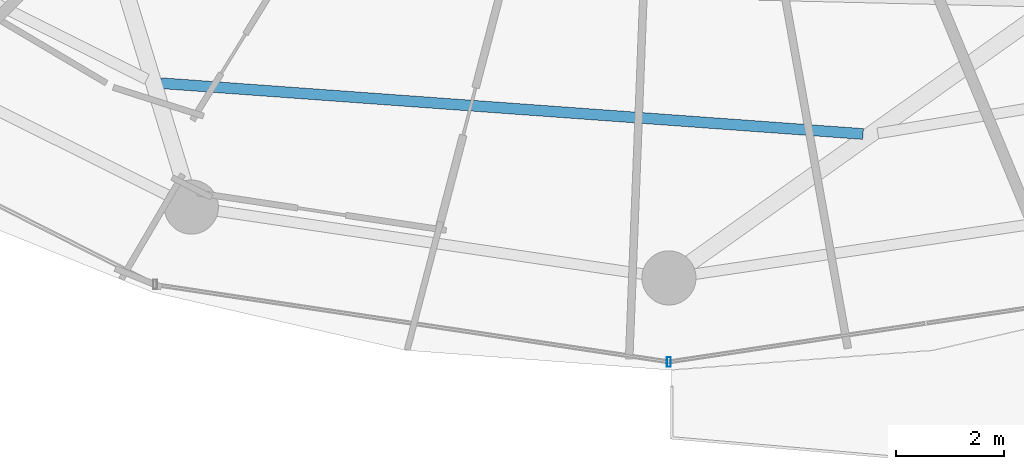
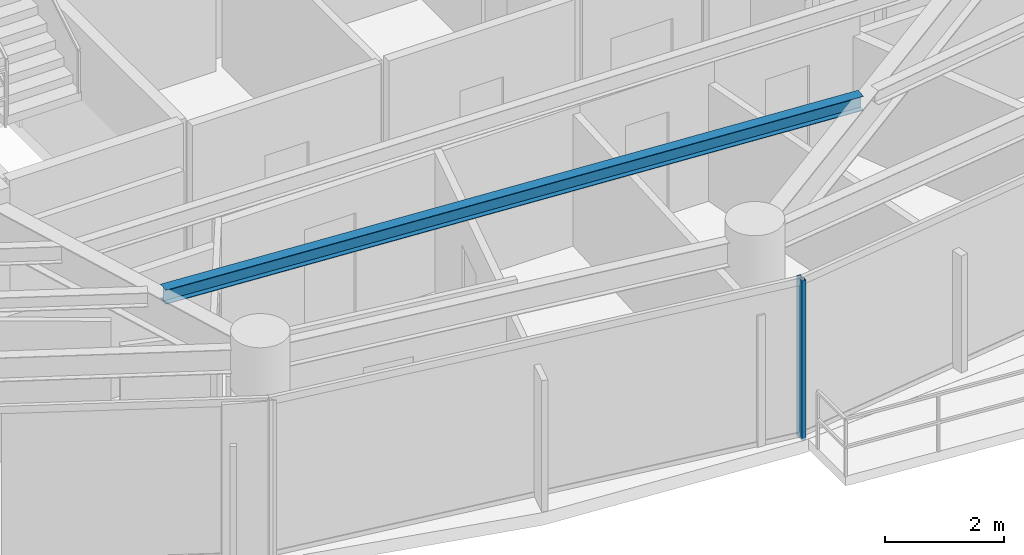
# One storey, part 6 of 29: 1 beam, 1 member, 1 element without a shape of its own.
"""IFC4 building model written with IfcOpenShell, lengths in metres."""

import ifcopenshell
import ifcopenshell.guid

model = None  # the IFC model being written
_history = None  # IfcOwnerHistory: only IFC2X3 demands one
_inside = {}  # id of a spatial element -> (the spatial element, [elements in it])
_under = {}  # id of a project, library or spatial element -> (it, [spatial elements below it])
_declared = {}  # id of a project -> (the project, [libraries it declares])
_typed = {}  # id of a type object -> (the type object, [elements of that type])
_made_of = {}  # id of a material, layer set ... -> (it, [elements and type objects made of it])


def new_model(schema):
    """Start an empty IFC model of exactly this schema.

    Asked for "IFC4X3", IfcOpenShell would pick the latest addendum, in which some entities
    have other attributes; the version numbers below select the first issue.
    IFC2X3 requires an IfcOwnerHistory on every rooted entity: one is made here for all.
    """
    global model, _history
    if schema == "IFC4X3":
        model = ifcopenshell.file(schema_version=(4, 3, 0, 0))
    else:
        model = ifcopenshell.file(schema=schema)
    _inside.clear()
    _under.clear()
    _declared.clear()
    _typed.clear()
    _made_of.clear()
    _history = None
    if model.schema == "IFC2X3":
        org = make("IfcOrganization", Name="unknown")
        user = make(
            "IfcPersonAndOrganization",
            ThePerson=make("IfcPerson", FamilyName="unknown"),
            TheOrganization=org,
        )
        app = make(
            "IfcApplication",
            ApplicationDeveloper=org,
            Version="unknown",
            ApplicationFullName="unknown",
            ApplicationIdentifier="unknown",
        )
        _history = make(
            "IfcOwnerHistory",
            OwningUser=user,
            OwningApplication=app,
            ChangeAction="ADDED",
            CreationDate=0,
        )
    return model


def make(cls, **values):
    """One entity of the class cls with the attributes given. An attribute that is None is left unset."""
    return model.create_entity(
        cls, **{name: value for name, value in values.items() if value is not None}
    )


def rooted(cls, **values):
    """An entity with a GlobalId (a new one), such as an element, a storey or a relation."""
    return make(cls, GlobalId=ifcopenshell.guid.new(), OwnerHistory=_history, **values)


def si_unit(unit_type, name, prefix=None):
    """IfcSIUnit, for example si_unit("LENGTHUNIT", "METRE", prefix="MILLI")."""
    return make("IfcSIUnit", UnitType=unit_type, Prefix=prefix, Name=name)


def assignment(units):
    """IfcUnitAssignment: the units of a project."""
    return None if units is None else make("IfcUnitAssignment", Units=units)


def point(xyz):
    """IfcCartesianPoint."""
    return None if xyz is None else make("IfcCartesianPoint", Coordinates=xyz)


def direction(xyz):
    """IfcDirection."""
    return None if xyz is None else make("IfcDirection", DirectionRatios=xyz)


def frame(location, z_axis=None, x_axis=None):
    """IfcAxis2Placement3D, a coordinate frame: its origin and axes. An axis left out is left unset."""
    return make(
        "IfcAxis2Placement3D",
        Location=point(location),
        Axis=direction(z_axis),
        RefDirection=direction(x_axis),
    )


def frame_2d(location, x_axis=None):
    """IfcAxis2Placement2D, a coordinate frame in the plane: its origin and x axis."""
    return make(
        "IfcAxis2Placement2D", Location=point(location), RefDirection=direction(x_axis)
    )


def origin():
    """The frame at (0, 0, 0) with its axes left unset."""
    return frame((0.0, 0.0, 0.0))


def origin_2d():
    """The frame at (0, 0) in the plane with its x axis left unset."""
    return frame_2d((0.0, 0.0))


def place(relative_to, where):
    """IfcLocalPlacement: puts the frame where relative to a parent placement (None: the world)."""
    return make(
        "IfcLocalPlacement", PlacementRelTo=relative_to, RelativePlacement=where
    )


def context(
    kind, dimensions, precision=None, world=None, true_north=None, identifier=None
):
    """IfcGeometricRepresentationContext, for example the 3D "Model" context."""
    return make(
        "IfcGeometricRepresentationContext",
        ContextIdentifier=identifier,
        ContextType=kind,
        CoordinateSpaceDimension=dimensions,
        Precision=precision,
        WorldCoordinateSystem=world,
        TrueNorth=true_north,
    )


def subcontext(parent, identifier, kind, view, scale=None):
    """IfcGeometricRepresentationSubContext, for example "Body" below "Model"."""
    return make(
        "IfcGeometricRepresentationSubContext",
        ContextIdentifier=identifier,
        ContextType=kind,
        ParentContext=parent,
        TargetScale=scale,
        TargetView=view,
    )


def project(units=None, contexts=None):
    """IfcProject with its units and contexts."""
    return rooted(
        "IfcProject",
        Name="project",
        RepresentationContexts=contexts,
        UnitsInContext=assignment(units),
    )


def spatial(cls, under=None, at=None, **own):
    """A site, building, storey or space (cls), placed at a placement, below another one or the project."""
    s = rooted(cls, ObjectPlacement=at, **own)
    if under is not None:
        _under.setdefault(under.id(), (under, []))[1].append(s)
    return s


def profile(cls, at=None, kind="AREA", **sizes):
    """A parametric profile (cls). Its sizes go by their IFC names, for example OverallWidth=200.0."""
    return make(cls, ProfileType=kind, Position=at, **sizes)


def hollow_rectangle(**sizes):
    """IfcRectangleHollowProfileDef."""
    return profile("IfcRectangleHollowProfileDef", **sizes)


def i_section(**sizes):
    """IfcIShapeProfileDef."""
    return profile("IfcIShapeProfileDef", **sizes)


def extrude(swept, where, along, depth):
    """IfcExtrudedAreaSolid: the profile swept, set in the frame where, extruded along a direction by depth."""
    return make(
        "IfcExtrudedAreaSolid",
        SweptArea=swept,
        Position=where,
        ExtrudedDirection=direction(along),
        Depth=depth,
    )


def shape(context_of_items, identifier, shape_type, items):
    """IfcShapeRepresentation: the items that make up one representation, for example the "Body"."""
    return make(
        "IfcShapeRepresentation",
        ContextOfItems=context_of_items,
        RepresentationIdentifier=identifier,
        RepresentationType=shape_type,
        Items=items,
    )


def material(Name=None, Category=None):
    """IfcMaterial."""
    return make("IfcMaterial", Name=Name, Category=Category)


def material_profile(
    of_material, cross_section, Name=None, Category=None, Priority=None
):
    """IfcMaterialProfile: a cross section and its material."""
    return make(
        "IfcMaterialProfile",
        Name=Name,
        Material=of_material,
        Profile=cross_section,
        Priority=Priority,
        Category=Category,
    )


def profile_set(profiles, Name=None, composite=None):
    """IfcMaterialProfileSet."""
    return make(
        "IfcMaterialProfileSet",
        Name=Name,
        MaterialProfiles=profiles,
        CompositeProfile=composite,
    )


def made_of(thing, what):
    """Note that an element or type object is made of a material, layer set ...; save() writes the relation."""
    if what is not None:
        _made_of.setdefault(what.id(), (what, []))[1].append(thing)
    return thing


def type_object(cls, material=None, **own):
    """A type object (cls), such as IfcWallType, which elements share."""
    return made_of(rooted(cls, **own), material)


def element(
    cls,
    number,
    at=None,
    inside=None,
    cuts=None,
    type_object=None,
    material=None,
    context=None,
    identifier="Body",
    shape_type=None,
    held_by="IfcProductDefinitionShape",
    body=None,
    shapes=None,
    **own,
):
    """One element of the class cls, such as IfcWall. Its Tag is "e" and its number.

    at: its placement. inside: the storey or other place that contains it. cuts: it is an
    opening in that element (IfcRelVoidsElement). A single representation is given by context,
    identifier, shape_type and body (its items); several are given by shapes. held_by: the class
    of the entity that holds the representations. save() writes the other relations.
    """
    e = rooted(cls, Tag="e%d" % number, ObjectPlacement=at, **own)
    if body is not None:
        shapes = [shape(context, identifier, shape_type, body)]
    if shapes is not None:
        e.Representation = make(held_by, Representations=shapes)
    if inside is not None:
        _inside.setdefault(inside.id(), (inside, []))[1].append(e)
    if cuts is not None:
        rooted(
            "IfcRelVoidsElement", RelatingBuildingElement=cuts, RelatedOpeningElement=e
        )
    if type_object is not None:
        _typed.setdefault(type_object.id(), (type_object, []))[1].append(e)
    return made_of(e, material)


def aggregate(whole, parts):
    """IfcRelAggregates: a whole, such as a stair, and the parts it consists of."""
    return rooted("IfcRelAggregates", RelatingObject=whole, RelatedObjects=parts)


def save(model, path):
    """Write the relations noted so far, then the file.

    IfcRelAggregates (storeys below a building ...), IfcRelContainedInSpatialStructure (elements
    in a storey), IfcRelDefinesByType, IfcRelAssociatesMaterial and IfcRelDeclares: one each for
    every whole, place, type object, material and project.
    """
    for whole, parts in _under.values():
        aggregate(whole, parts)
    for where, things in _inside.values():
        rooted(
            "IfcRelContainedInSpatialStructure",
            RelatedElements=things,
            RelatingStructure=where,
        )
    for kind, things in _typed.values():
        rooted("IfcRelDefinesByType", RelatedObjects=things, RelatingType=kind)
    for what, things in _made_of.values():
        rooted("IfcRelAssociatesMaterial", RelatedObjects=things, RelatingMaterial=what)
    for by, libraries in _declared.values():
        rooted("IfcRelDeclares", RelatingContext=by, RelatedDefinitions=libraries)
    model.write(path)


model = new_model("IFC4")

# Units and contexts
model_context = context("Model", 3, precision=1e-05, world=origin(), true_north=direction((0.0, 1.0)))
body_context = subcontext(model_context, "Body", "Model", "MODEL_VIEW")
ifc_project = project(units=[si_unit("LENGTHUNIT", "METRE"), si_unit("AREAUNIT", "SQUARE_METRE"), si_unit("VOLUMEUNIT", "CUBIC_METRE"), si_unit("PLANEANGLEUNIT", "RADIAN"), si_unit("MASSUNIT", "GRAM", prefix="KILO")], contexts=[model_context])

# Site, building, storey
site_placement = place(None, origin())
site = spatial("IfcSite", under=ifc_project, at=site_placement, CompositionType="ELEMENT")
building_placement = place(site_placement, origin())
building = spatial("IfcBuilding", under=site, at=building_placement, Name="Vorneva Point Tower", CompositionType="ELEMENT")
storey_placement = place(building_placement, frame((0.0, 0.0, 171.10009765625)))
storey = spatial("IfcBuildingStorey", under=building, at=storey_placement, Name="L46", CompositionType="ELEMENT", Elevation=171.10009765625)

# Beam
ifc_material_1 = material(Name="Steel S355", Category="steel")
ifc_material_profile_1 = material_profile(ifc_material_1, i_section(OverallWidth=0.199951171875, OverallDepth=0.291015625, WebThickness=0.008056640625, FlangeThickness=0.010986328125, at=origin_2d()), Name="30Sh1")
ifc_profile_set_1 = profile_set([ifc_material_profile_1], Name="Steel S355")
beam_type = type_object("IfcBeamType", Name="BM-SEC-30Sh1", PredefinedType="BEAM", material=ifc_profile_set_1)
beam_placement = place(storey_placement, frame((28.61767578125, 12.397216796875, 3.054443359375), z_axis=(0.997392598268, -0.072166508296, 0.0), x_axis=(0.072166508296, 0.997392598268, 0.0)))
element("IfcBeam", 1, at=beam_placement, inside=storey, type_object=beam_type, Name="L46 Secondary Floor Beam 1.12", PredefinedType="BEAM", context=body_context, shape_type="SweptSolid", body=[
    extrude(i_section(OverallWidth=0.199951171875, OverallDepth=0.291015625, WebThickness=0.008056640625, FlangeThickness=0.010986328125, at=origin_2d()), origin(), (0.0, 0.0, 1.0), 13.0009765625),
])

# Curtain wall, member
ifc_material_2 = material(Name="Pale anodised aluminium", Category="aluminium")
curtain_wall_type = type_object("IfcCurtainWallType", Name="CW-RES-SYS", PredefinedType="NOTDEFINED", material=ifc_material_2)
curtain_wall_placement = place(storey_placement, origin())
curtain_wall = element("IfcCurtainWall", 2, at=curtain_wall_placement, inside=storey, type_object=curtain_wall_type, Name="L46 Unitised Curtain Wall CW-L46-R04", PredefinedType="NOTDEFINED")
ifc_material_profile_2 = material_profile(ifc_material_2, hollow_rectangle(XDim=0.074951171875, YDim=0.179931640625, WallThickness=0.00390625, at=origin_2d()), Name="AL-MUL 180x75x4")
ifc_profile_set_2 = profile_set([ifc_material_profile_2], Name="Pale anodised aluminium")
member_type = type_object("IfcMemberType", Name="CW-MUL-180", PredefinedType="MULLION", material=ifc_profile_set_2)
member_placement = place(storey_placement, frame((38.0, 7.25, -0.0400390625), z_axis=(0.0, 0.0, 1.0), x_axis=(1.0, 0.0, 0.0)))
member = element("IfcMember", 3, at=member_placement, type_object=member_type, Name="CW-L46-R04 Mullion 03", PredefinedType="MULLION", context=body_context, shape_type="SweptSolid", body=[
    extrude(hollow_rectangle(XDim=0.074951171875, YDim=0.179931640625, WallThickness=0.00390625, at=origin_2d()), origin(), (0.0, 0.0, 1.0), 3.27001953125),
])
aggregate(curtain_wall, [member])

save(model, "model.ifc")
